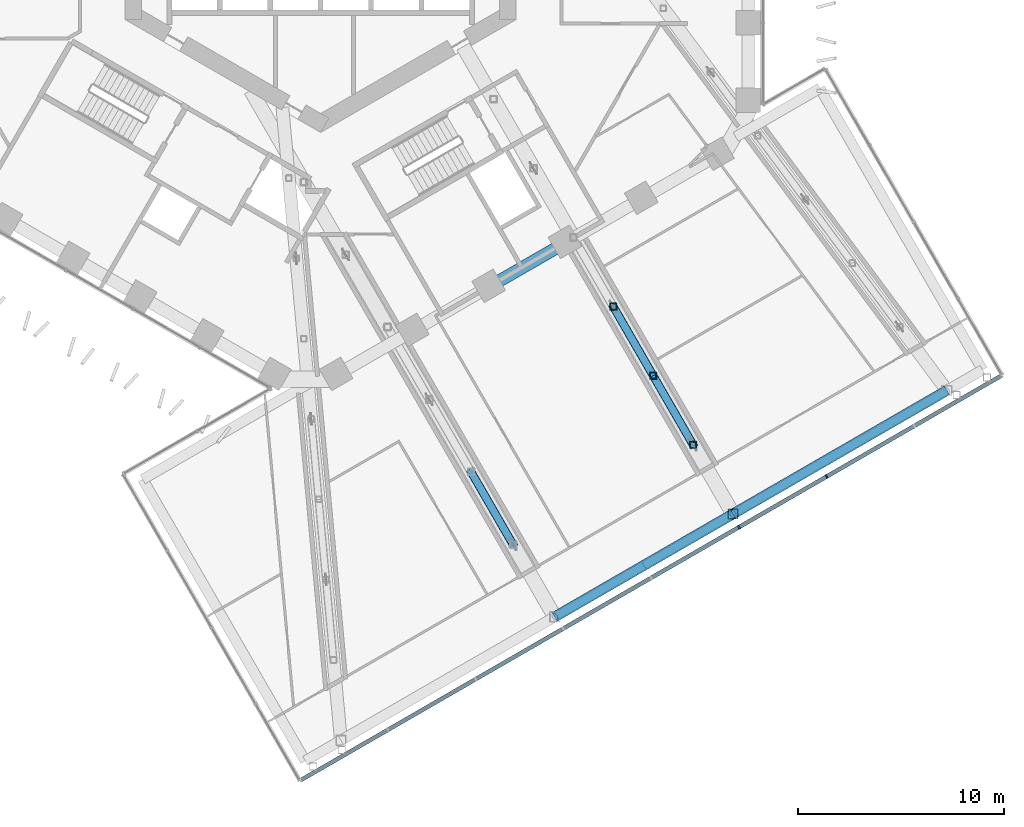
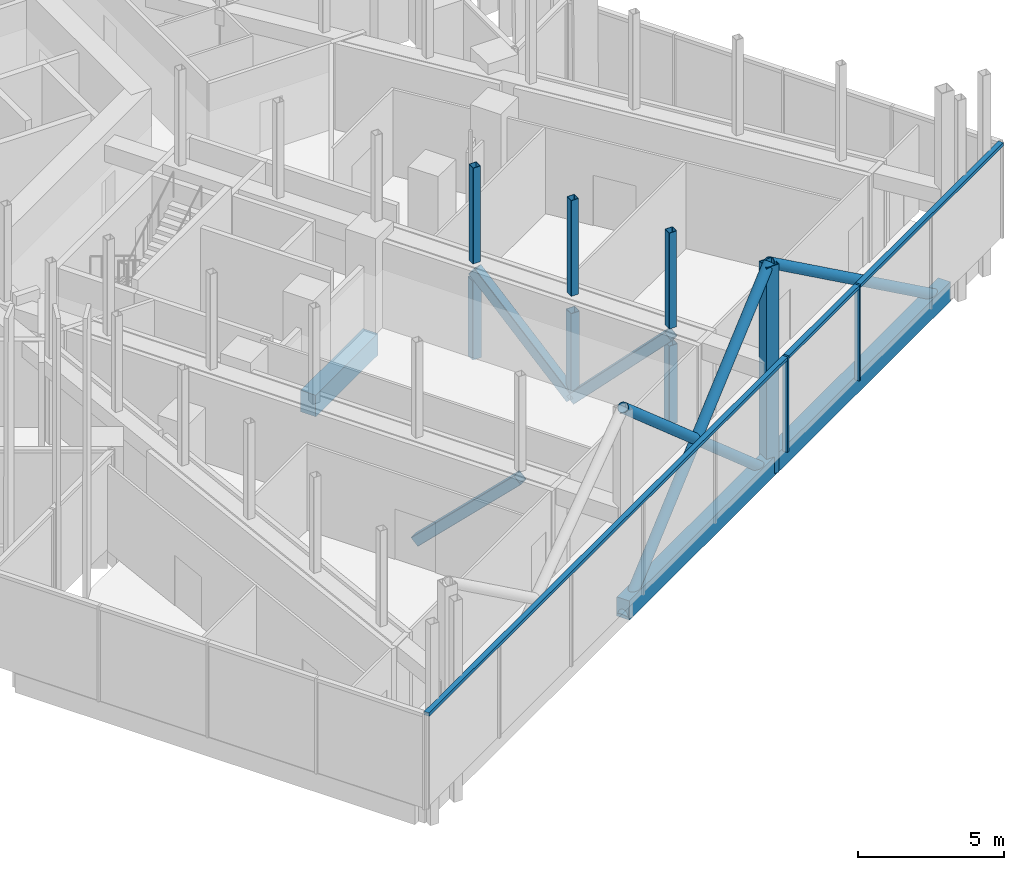
# One storey, part 5 of 29: 16 members, 3 beams, 1 element without a shape of its own.
"""IFC4 building model written with IfcOpenShell, lengths in metres."""

from ifc_helpers import new_model, si_unit, direction, frame, origin, origin_2d, place, context, subcontext, project, spatial, rectangle, hollow_rectangle, hollow_circle, extrude, material, layer, layer_set, material_profile, profile_set, type_object, element, aggregate, save


model = new_model("IFC4")

# Units and contexts
model_context = context("Model", 3, precision=1e-05, world=origin(), true_north=direction((0.0, 1.0)))
body_context = subcontext(model_context, "Body", "Model", "MODEL_VIEW")
ifc_project = project(units=[si_unit("LENGTHUNIT", "METRE"), si_unit("AREAUNIT", "SQUARE_METRE"), si_unit("VOLUMEUNIT", "CUBIC_METRE"), si_unit("PLANEANGLEUNIT", "RADIAN"), si_unit("MASSUNIT", "GRAM", prefix="KILO")], contexts=[model_context])

# Site, building, storey
site_placement = place(None, origin())
site = spatial("IfcSite", under=ifc_project, at=site_placement, CompositionType="ELEMENT")
building_placement = place(site_placement, origin())
building = spatial("IfcBuilding", under=site, at=building_placement, Name="Ayvan Gate Tower", CompositionType="ELEMENT")
storey_placement = place(building_placement, frame((0.0, 0.0, 66.300048828125)))
storey = spatial("IfcBuildingStorey", under=building, at=storey_placement, Name="L17", CompositionType="ELEMENT", Elevation=66.300048828125)

# Beams
ifc_material_1 = material(Name="Concrete C40/50", Category="concrete")
ifc_material_profile_1 = material_profile(ifc_material_1, rectangle(XDim=0.5, YDim=0.800048828125, at=origin_2d()), Name="RC 500x800")
ifc_profile_set_1 = profile_set([ifc_material_profile_1], Name="Concrete C40/50")
beam_type_1 = type_object("IfcBeamType", Name="Sky bar edge beam RC 500x800 C40/50", PredefinedType="BEAM", material=ifc_profile_set_1)
beam_1_placement = place(storey_placement, frame((30.43017578125, -23.506591796875, -0.800048828125), z_axis=(-0.866026010844, -0.49999894854, 0.0), x_axis=(0.49999894854, -0.866026010844, 0.0)))
element("IfcBeam", 1, at=beam_1_placement, inside=storey, type_object=beam_type_1, Name="EB-B1-L17-4", PredefinedType="BEAM", context=body_context, shape_type="SweptSolid", body=[
    extrude(rectangle(XDim=0.5, YDim=0.800048828125, at=origin_2d()), origin(), (0.0, 0.0, 1.0), 12.0),
])
beam_2_placement = place(storey_placement, frame((20.037841796875, -29.506591796875, -0.800048828125), z_axis=(-0.866022959057, -0.500004234368, 0.0), x_axis=(0.500004234368, -0.866022959057, 0.0)))
element("IfcBeam", 2, at=beam_2_placement, inside=storey, type_object=beam_type_1, Name="EB-B1-L17-5", PredefinedType="BEAM", context=body_context, shape_type="SweptSolid", body=[
    extrude(rectangle(XDim=0.5, YDim=0.800048828125, at=origin_2d()), origin(), (0.0, 0.0, 1.0), 10.0),
])

# Members
ifc_material_2 = material(Name="Steel S460ML", Category="steel")
ifc_material_profile_2 = material_profile(ifc_material_2, hollow_rectangle(XDim=0.5, YDim=0.5, WallThickness=0.030029296875, at=origin_2d()), Name="BOX 500x500x30")
ifc_profile_set_2 = profile_set([ifc_material_profile_2], Name="Steel S460ML")
member_type_1 = type_object("IfcMemberType", Name="Sky bar end wall post BOX 500x500x30", PredefinedType="POST", material=ifc_profile_set_2)
member_1_placement = place(storey_placement, frame((20.037841796875, -29.506591796875, -1.10009765625), z_axis=(0.0, 0.0, 1.0), x_axis=(1.0, 0.0, 0.0)))
element("IfcMember", 3, at=member_1_placement, inside=storey, type_object=member_type_1, Name="EXO-B1-P3", PredefinedType="POST", context=body_context, shape_type="SweptSolid", body=[
    extrude(hollow_rectangle(XDim=0.5, YDim=0.5, WallThickness=0.030029296875, at=origin_2d()), origin(), (0.0, 0.0, 1.0), 8.699951171875),
])
ifc_material_3 = material(Name="Steel S460NH", Category="steel")
ifc_material_profile_3 = material_profile(ifc_material_3, hollow_circle(Radius=0.203125, WallThickness=0.01611328125, at=origin_2d()), Name="CHS 406.4x16")
ifc_profile_set_3 = profile_set([ifc_material_profile_3], Name="Steel S460NH")
member_type_2 = type_object("IfcMemberType", Name="Sky bar exoskeleton brace CHS 406.4x16", PredefinedType="BRACE", material=ifc_profile_set_3)
for number, where, z_axis, x_axis, name in (
    (4, (11.377685546875, -34.506591796875, -1.10009765625), (0.653364223371, 0.377224269695, 0.656366545439), (-0.500004234368, 0.866022959057, 0.0), "EXO-B1-D2A"),
    (5, (20.037841796875, -29.506591796875, -1.10009765625), (-0.653364223371, -0.377224269695, 0.656366545439), (0.500004234368, -0.866022959057, 0.0), "EXO-B1-D2B"),
):
    element("IfcMember", number, at=place(storey_placement, frame(where, z_axis=z_axis, x_axis=x_axis)), inside=storey, type_object=member_type_2, Name=name, PredefinedType="BRACE", context=body_context, shape_type="SweptSolid", body=[
        extrude(hollow_circle(Radius=0.203125, WallThickness=0.01611328125, at=origin_2d()), origin(), (0.0, 0.0, 1.0), 13.254638671875),
    ])
member_2_placement = place(storey_placement, frame((30.43017578125, -23.506591796875, -1.10009765625), z_axis=(-0.701145566391, -0.404805446464, 0.586964603058), x_axis=(0.49999894854, -0.866026010844, 0.0)))
element("IfcMember", 6, at=member_2_placement, inside=storey, type_object=member_type_2, Name="EXO-B1-D3B", PredefinedType="BRACE", context=body_context, shape_type="SweptSolid", body=[
    extrude(hollow_circle(Radius=0.203125, WallThickness=0.01611328125, at=origin_2d()), origin(), (0.0, 0.0, 1.0), 14.822021484375),
])
ifc_material_profile_4 = material_profile(ifc_material_3, hollow_rectangle(XDim=0.39990234375, YDim=0.39990234375, WallThickness=0.02001953125, InnerFilletRadius=0.02001953125, OuterFilletRadius=0.030029296875, at=origin_2d()), Name="RHS 400x400x20")
ifc_profile_set_4 = profile_set([ifc_material_profile_4], Name="Steel S460NH")
member_type_3 = type_object("IfcMemberType", Name="Sky bar truss brace B1 RHS 400x400x20", PredefinedType="BRACE", material=ifc_profile_set_4)
member_3_placement = place(storey_placement, frame((7.312744140625, -27.466064453125, -0.75), z_axis=(0.356391799816, -0.617274878263, 0.701396185967), x_axis=(0.866020554218, 0.500008399602, 0.0)))
element("IfcMember", 7, at=member_3_placement, inside=storey, type_object=member_type_3, Name="SBT1-2-D-6", PredefinedType="BRACE", context=body_context, shape_type="SweptSolid", body=[
    extrude(hollow_rectangle(XDim=0.39990234375, YDim=0.39990234375, WallThickness=0.02001953125, InnerFilletRadius=0.02001953125, OuterFilletRadius=0.030029296875, at=origin_2d()), origin(), (0.0, 0.0, 1.0), 5.702880859375),
])
for number, where, z_axis, x_axis, name in (
    (8, (14.2197265625, -19.429443359375, 3.25), (0.348082177284, -0.60287798052, -0.717897582153), (0.866018926739, 0.500011218404, 0.0), "SBT1-3-D-5"),
    (9, (16.1591796875, -22.78857421875, -0.75), (0.348091372357, -0.602850088229, 0.717916546412), (0.866003189247, 0.500038474733, 0.0), "SBT1-3-D-6"),
):
    element("IfcMember", number, at=place(storey_placement, frame(where, z_axis=z_axis, x_axis=x_axis)), inside=storey, type_object=member_type_3, Name=name, PredefinedType="BRACE", context=body_context, shape_type="SweptSolid", body=[
        extrude(hollow_rectangle(XDim=0.39990234375, YDim=0.39990234375, WallThickness=0.02001953125, InnerFilletRadius=0.02001953125, OuterFilletRadius=0.030029296875, at=origin_2d()), origin(), (0.0, 0.0, 1.0), 5.57177734375),
    ])
ifc_material_profile_5 = material_profile(ifc_material_3, hollow_rectangle(XDim=0.35009765625, YDim=0.35009765625, WallThickness=0.01611328125, InnerFilletRadius=0.01611328125, OuterFilletRadius=0.02392578125, at=origin_2d()), Name="RHS 350x350x16")
ifc_profile_set_5 = profile_set([ifc_material_profile_5], Name="Steel S460NH")
member_type_4 = type_object("IfcMemberType", Name="Sky bar truss post B1 RHS 350x350x16", PredefinedType="POST", material=ifc_profile_set_5)
for number, where, z_axis, x_axis, name in (
    (10, (14.2197265625, -19.429443359375, -0.400146484375), (0.0, 0.0, 1.0), (1.0, 0.0, 0.0), "SBT1-3-P-4"),
    (11, (16.1591796875, -22.78857421875, -0.400146484375), (0.0, 0.0, 1.0), (1.0, 0.0, 0.0), "SBT1-3-P-5"),
    (12, (18.0986328125, -26.1474609375, -0.400146484375), (0.0, 0.0, 1.0), (1.0, 0.0, 0.0), "SBT1-3-P-6"),
):
    element("IfcMember", number, at=place(storey_placement, frame(where, z_axis=z_axis, x_axis=x_axis)), inside=storey, type_object=member_type_4, Name=name, PredefinedType="POST", context=body_context, shape_type="SweptSolid", body=[
        extrude(hollow_rectangle(XDim=0.35009765625, YDim=0.35009765625, WallThickness=0.01611328125, InnerFilletRadius=0.01611328125, OuterFilletRadius=0.02392578125, at=origin_2d()), origin(), (0.0, 0.0, 1.0), 3.300048828125),
    ])
ifc_material_profile_6 = material_profile(ifc_material_3, hollow_rectangle(XDim=0.300048828125, YDim=0.300048828125, WallThickness=0.01611328125, InnerFilletRadius=0.01611328125, OuterFilletRadius=0.02392578125, at=origin_2d()), Name="RHS 300x300x16")
ifc_profile_set_6 = profile_set([ifc_material_profile_6], Name="Steel S460NH")
member_type_5 = type_object("IfcMemberType", Name="Sky bar upper post B1 RHS 300x300x16", PredefinedType="POST", material=ifc_profile_set_6)
for number, where, z_axis, x_axis, name in (
    (13, (14.2197265625, -19.429443359375, 3.599853515625), (0.0, 0.0, 1.0), (1.0, 0.0, 0.0), "SBT1-3-U-4"),
    (14, (16.1591796875, -22.78857421875, 3.599853515625), (0.0, 0.0, 1.0), (1.0, 0.0, 0.0), "SBT1-3-U-5"),
    (15, (18.0986328125, -26.1474609375, 3.599853515625), (0.0, 0.0, 1.0), (1.0, 0.0, 0.0), "SBT1-3-U-6"),
):
    element("IfcMember", number, at=place(storey_placement, frame(where, z_axis=z_axis, x_axis=x_axis)), inside=storey, type_object=member_type_5, Name=name, PredefinedType="POST", context=body_context, shape_type="SweptSolid", body=[
        extrude(hollow_rectangle(XDim=0.300048828125, YDim=0.300048828125, WallThickness=0.01611328125, InnerFilletRadius=0.01611328125, OuterFilletRadius=0.02392578125, at=origin_2d()), origin(), (0.0, 0.0, 1.0), 4.0),
    ])

# Beam
ifc_material_profile_7 = material_profile(ifc_material_1, rectangle(XDim=0.60009765625, YDim=0.89990234375, at=origin_2d()), Name="RC 600x900")
ifc_profile_set_7 = profile_set([ifc_material_profile_7], Name="Concrete C40/50")
beam_type_2 = type_object("IfcBeamType", Name="Spandrel beam RC 600x900 C40/50", PredefinedType="BEAM", material=ifc_profile_set_7)
beam_3_placement = place(storey_placement, frame((8.195556640625, -18.463134765625, -0.85009765625), z_axis=(0.866027461465, 0.499996435975, 0.0), x_axis=(-0.499996435975, 0.866027461465, 0.0)))
element("IfcBeam", 16, at=beam_3_placement, inside=storey, type_object=beam_type_2, Name="SB-L17-33", PredefinedType="BEAM", context=body_context, shape_type="SweptSolid", body=[
    extrude(rectangle(XDim=0.60009765625, YDim=0.89990234375, at=origin_2d()), origin(), (0.0, 0.0, 1.0), 4.26806640625),
])

# Curtain wall, members
ifc_material_4 = material(Name="Bronze anodised aluminium", Category="aluminium")
ifc_layer = layer(ifc_material_4, 0.199951171875)
ifc_layer_set = layer_set([ifc_layer], Name="Bronze anodised aluminium")
curtain_wall_type = type_object("IfcCurtainWallType", Name="Stick curtain wall CW-4", PredefinedType="NOTDEFINED", material=ifc_layer_set)
curtain_wall_placement = place(storey_placement, origin())
curtain_wall = element("IfcCurtainWall", 17, at=curtain_wall_placement, inside=storey, type_object=curtain_wall_type, Name="Stick curtain wall CW-4 L17", PredefinedType="NOTDEFINED")
ifc_material_profile_8 = material_profile(ifc_material_4, rectangle(XDim=0.199951171875, YDim=0.080078125, at=origin_2d()), Name="Stick curtain wall CW-4 mullion 200 x 80")
ifc_profile_set_8 = profile_set([ifc_material_profile_8], Name="Bronze anodised aluminium")
member_type_6 = type_object("IfcMemberType", Name="Stick curtain wall CW-4 mullion 200 x 80", PredefinedType="MULLION", material=ifc_profile_set_8)
member_4_placement = place(storey_placement, frame((20.322998046875, -30.150390625, 0.0), z_axis=(0.0, 0.0, 1.0), x_axis=(0.5, -0.866025403784, 0.0)))
member_4 = element("IfcMember", 18, at=member_4_placement, type_object=member_type_6, Name="CW-4 mullion 6", PredefinedType="MULLION", context=body_context, shape_type="SweptSolid", body=[
    extrude(rectangle(XDim=0.199951171875, YDim=0.080078125, at=origin_2d()), origin(), (0.0, 0.0, 1.0), 4.0),
])
member_5_placement = place(storey_placement, frame((24.588134765625, -27.687744140625, 0.0), z_axis=(0.0, 0.0, 1.0), x_axis=(0.5, -0.866025403784, 0.0)))
member_5 = element("IfcMember", 19, at=member_5_placement, type_object=member_type_6, Name="CW-4 mullion 7", PredefinedType="MULLION", context=body_context, shape_type="SweptSolid", body=[
    extrude(rectangle(XDim=0.199951171875, YDim=0.080078125, at=origin_2d()), origin(), (0.0, 0.0, 1.0), 4.0),
])
ifc_material_profile_9 = material_profile(ifc_material_4, rectangle(XDim=0.199951171875, YDim=0.139892578125, at=origin_2d()), Name="Stick curtain wall CW-4 transom 200 x 140")
ifc_profile_set_9 = profile_set([ifc_material_profile_9], Name="Bronze anodised aluminium")
member_type_7 = type_object("IfcMemberType", Name="Stick curtain wall CW-4 transom 200 x 140", PredefinedType="USERDEFINED", material=ifc_profile_set_9)
member_6_placement = place(storey_placement, frame((-0.96826171875, -42.44287109375, 3.929931640625), z_axis=(0.866025628272, 0.499999611175, 0.0), x_axis=(-0.499999611175, 0.866025628272, 0.0)))
member_6 = element("IfcMember", 20, at=member_6_placement, type_object=member_type_7, Name="CW-4 transom 1", ObjectType="TRANSOM", PredefinedType="USERDEFINED", context=body_context, shape_type="SweptSolid", body=[
    extrude(rectangle(XDim=0.199951171875, YDim=0.139892578125, at=origin_2d()), origin(), (0.0, 0.0, 1.0), 39.31982421875),
])
aggregate(curtain_wall, [member_4, member_5, member_6])

save(model, "model.ifc")
